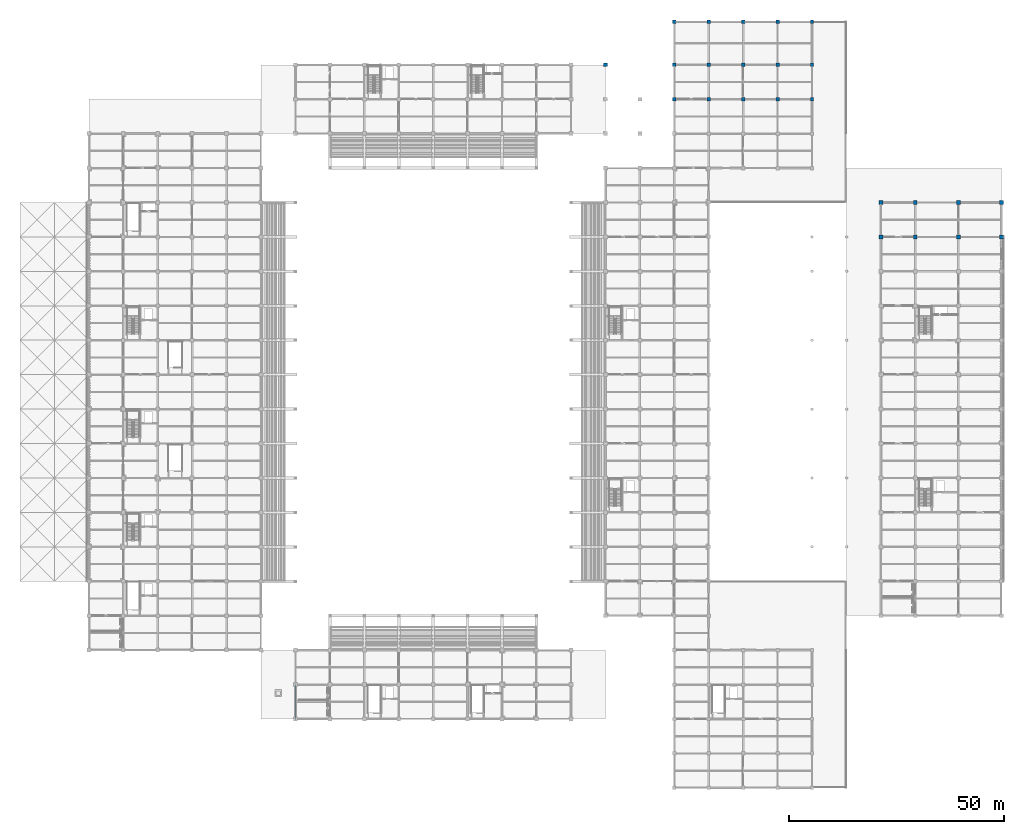
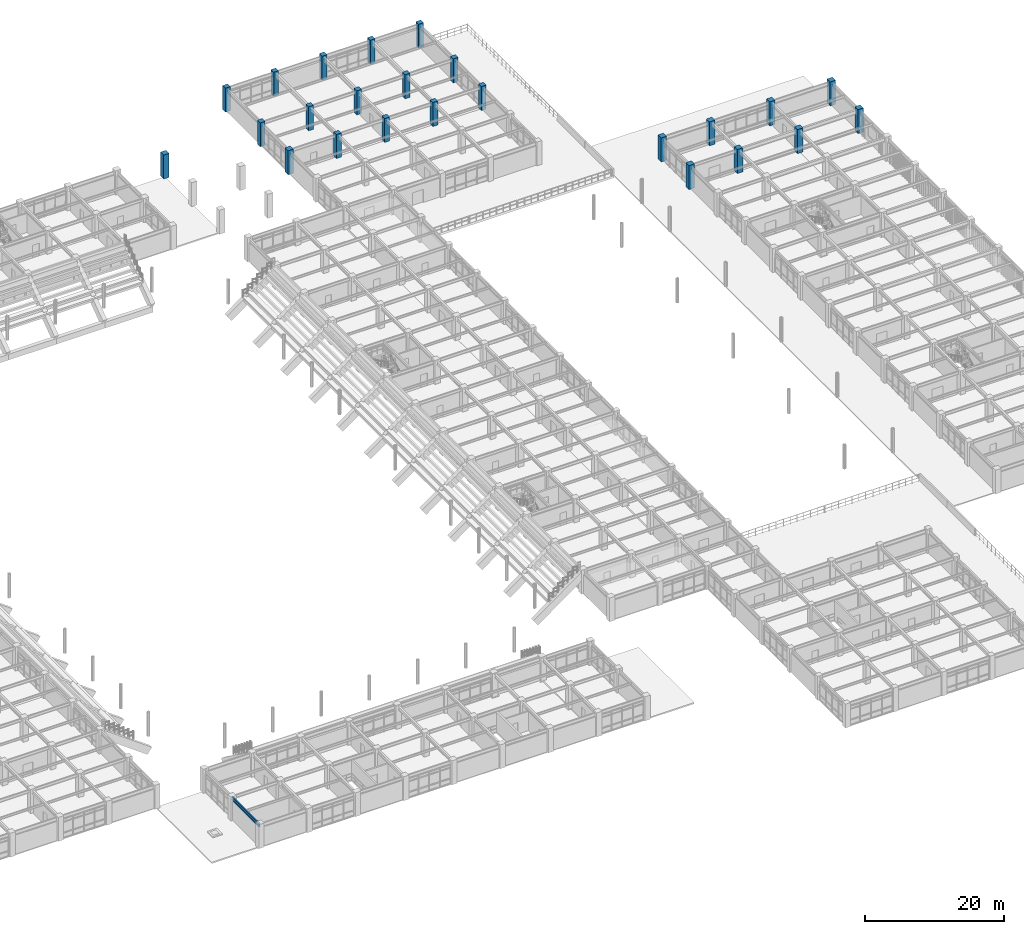
# One storey, part 15 of 118: 24 columns, 1 beam.
"""IFC4 building model written with IfcOpenShell, lengths in metres."""

from ifc_helpers import new_model, si_unit, direction, frame, origin, origin_2d, place, context, subcontext, project, spatial, rectangle, i_section, extrude, material, material_profile, profile_set, type_object, element, save


model = new_model("IFC4")

# Units and contexts
model_context = context("Model", 3, precision=1e-05, world=origin(), true_north=direction((0.0, 1.0)))
body_context = subcontext(model_context, "Body", "Model", "MODEL_VIEW")
ifc_project = project(units=[si_unit("LENGTHUNIT", "METRE"), si_unit("AREAUNIT", "SQUARE_METRE"), si_unit("VOLUMEUNIT", "CUBIC_METRE"), si_unit("PLANEANGLEUNIT", "RADIAN"), si_unit("MASSUNIT", "GRAM", prefix="KILO")], contexts=[model_context])

# Site, building, storey
site_placement = place(None, origin())
site = spatial("IfcSite", under=ifc_project, at=site_placement, CompositionType="ELEMENT")
building_placement = place(site_placement, origin())
building = spatial("IfcBuilding", under=site, at=building_placement, Name="Haebicheon Civic Stadium", CompositionType="ELEMENT")
storey_placement = place(building_placement, frame((0.0, 0.0, 14.39990234375)))
storey = spatial("IfcBuildingStorey", under=building, at=storey_placement, Name="L04", CompositionType="ELEMENT", Elevation=14.39990234375)

# Columns
ifc_material_1 = material(Name="Concrete C40/50", Category="concrete")
ifc_material_profile_1 = material_profile(ifc_material_1, rectangle(XDim=0.800048828125, YDim=0.800048828125, at=origin_2d()), Name="RC-COL-800x800")
ifc_profile_set_1 = profile_set([ifc_material_profile_1], Name="Concrete C40/50")
column_type_1 = type_object("IfcColumnType", Name="COL-RC-800", PredefinedType="COLUMN", material=ifc_profile_set_1)
for number, where, z_axis, x_axis, name in (
    (1, (160.0, 168.0, 0.0), (0.0, 0.0, 1.0), (1.0, 0.0, 0.0), "L04 column 21/X"),
    (2, (160.0, 178.0, 0.0), (0.0, 0.0, 1.0), (1.0, 0.0, 0.0), "L04 column 21/Y"),
    (3, (168.0, 160.0, 0.0), (0.0, 0.0, 1.0), (1.0, 0.0, 0.0), "L04 column 22/W"),
    (4, (168.0, 168.0, 0.0), (0.0, 0.0, 1.0), (1.0, 0.0, 0.0), "L04 column 22/X"),
    (5, (168.0, 178.0, 0.0), (0.0, 0.0, 1.0), (1.0, 0.0, 0.0), "L04 column 22/Y"),
    (6, (176.0, 160.0, 0.0), (0.0, 0.0, 1.0), (1.0, 0.0, 0.0), "L04 column 23/W"),
    (7, (176.0, 168.0, 0.0), (0.0, 0.0, 1.0), (1.0, 0.0, 0.0), "L04 column 23/X"),
    (8, (176.0, 178.0, 0.0), (0.0, 0.0, 1.0), (1.0, 0.0, 0.0), "L04 column 23/Y"),
    (9, (184.0, 160.0, 0.0), (0.0, 0.0, 1.0), (1.0, 0.0, 0.0), "L04 column 24/W"),
    (10, (184.0, 168.0, 0.0), (0.0, 0.0, 1.0), (1.0, 0.0, 0.0), "L04 column 24/X"),
    (11, (184.0, 178.0, 0.0), (0.0, 0.0, 1.0), (1.0, 0.0, 0.0), "L04 column 24/Y"),
    (12, (192.0, 160.0, 0.0), (0.0, 0.0, 1.0), (1.0, 0.0, 0.0), "L04 column 25/W"),
    (13, (192.0, 168.0, 0.0), (0.0, 0.0, 1.0), (1.0, 0.0, 0.0), "L04 column 25/X"),
    (14, (192.0, 178.0, 0.0), (0.0, 0.0, 1.0), (1.0, 0.0, 0.0), "L04 column 25/Y"),
):
    element("IfcColumn", number, at=place(storey_placement, frame(where, z_axis=z_axis, x_axis=x_axis)), inside=storey, type_object=column_type_1, material=ifc_profile_set_1, Name=name, PredefinedType="COLUMN", context=body_context, shape_type="SweptSolid", body=[
        extrude(rectangle(XDim=0.800048828125, YDim=0.800048828125, at=origin_2d()), origin(), (0.0, 0.0, 1.0), 4.2001953125),
    ])
ifc_material_2 = material(Name="Concrete C40/50", Category="concrete")
ifc_material_profile_2 = material_profile(ifc_material_2, rectangle(XDim=0.89990234375, YDim=0.89990234375, at=origin_2d()), Name="RC-COL-900x900")
ifc_profile_set_2 = profile_set([ifc_material_profile_2], Name="Concrete C40/50")
column_type_2 = type_object("IfcColumnType", Name="COL-RC-900", PredefinedType="COLUMN", material=ifc_profile_set_2)
for number, where, z_axis, x_axis, name in (
    (15, (144.0, 168.0, 0.0), (0.0, 0.0, 1.0), (1.0, 0.0, 0.0), "L04 column 19/X"),
    (16, (160.0, 160.0, 0.0), (0.0, 0.0, 1.0), (1.0, 0.0, 0.0), "L04 column 21/W"),
    (17, (208.0, 128.0, 0.0), (0.0, 0.0, 1.0), (1.0, 0.0, 0.0), "L04 column 27/S"),
    (18, (208.0, 136.0, 0.0), (0.0, 0.0, 1.0), (1.0, 0.0, 0.0), "L04 column 27/T"),
    (19, (216.0, 128.0, 0.0), (0.0, 0.0, 1.0), (1.0, 0.0, 0.0), "L04 column 28/S"),
    (20, (216.0, 136.0, 0.0), (0.0, 0.0, 1.0), (1.0, 0.0, 0.0), "L04 column 28/T"),
    (21, (226.0, 128.0, 0.0), (0.0, 0.0, 1.0), (1.0, 0.0, 0.0), "L04 column 29/S"),
    (22, (226.0, 136.0, 0.0), (0.0, 0.0, 1.0), (1.0, 0.0, 0.0), "L04 column 29/T"),
    (23, (236.0, 128.0, 0.0), (0.0, 0.0, 1.0), (1.0, 0.0, 0.0), "L04 column 30/S"),
    (24, (236.0, 136.0, 0.0), (0.0, 0.0, 1.0), (1.0, 0.0, 0.0), "L04 column 30/T"),
):
    element("IfcColumn", number, at=place(storey_placement, frame(where, z_axis=z_axis, x_axis=x_axis)), inside=storey, type_object=column_type_2, material=ifc_profile_set_2, Name=name, PredefinedType="COLUMN", context=body_context, shape_type="SweptSolid", body=[
        extrude(rectangle(XDim=0.89990234375, YDim=0.89990234375, at=origin_2d()), origin(), (0.0, 0.0, 1.0), 4.2001953125),
    ])

# Beam
ifc_material_3 = material(Name="Steel SM355 (S355)", Category="steel")
ifc_material_profile_3 = material_profile(ifc_material_3, i_section(OverallWidth=0.199951171875, OverallDepth=0.60009765625, WebThickness=0.010986328125, FlangeThickness=0.01708984375, at=origin_2d()), Name="H-600x200x11x17")
ifc_profile_set_3 = profile_set([ifc_material_profile_3], Name="Steel SM355 (S355)")
beam_type = type_object("IfcBeamType", Name="SPD-ST-H600B", PredefinedType="SPANDREL", material=ifc_profile_set_3)
beam_placement = place(storey_placement, frame((72.0, 16.0, 3.68017578125), z_axis=(0.0, 1.0, 0.0), x_axis=(-1.0, 0.0, 0.0)))
element("IfcBeam", 25, at=beam_placement, inside=storey, type_object=beam_type, material=ifc_profile_set_3, Name="L04 girder 10/C-D", PredefinedType="SPANDREL", context=body_context, shape_type="SweptSolid", body=[
    extrude(i_section(OverallWidth=0.199951171875, OverallDepth=0.60009765625, WebThickness=0.010986328125, FlangeThickness=0.01708984375, at=origin_2d()), origin(), (0.0, 0.0, 1.0), 8.0),
])

save(model, "model.ifc")
